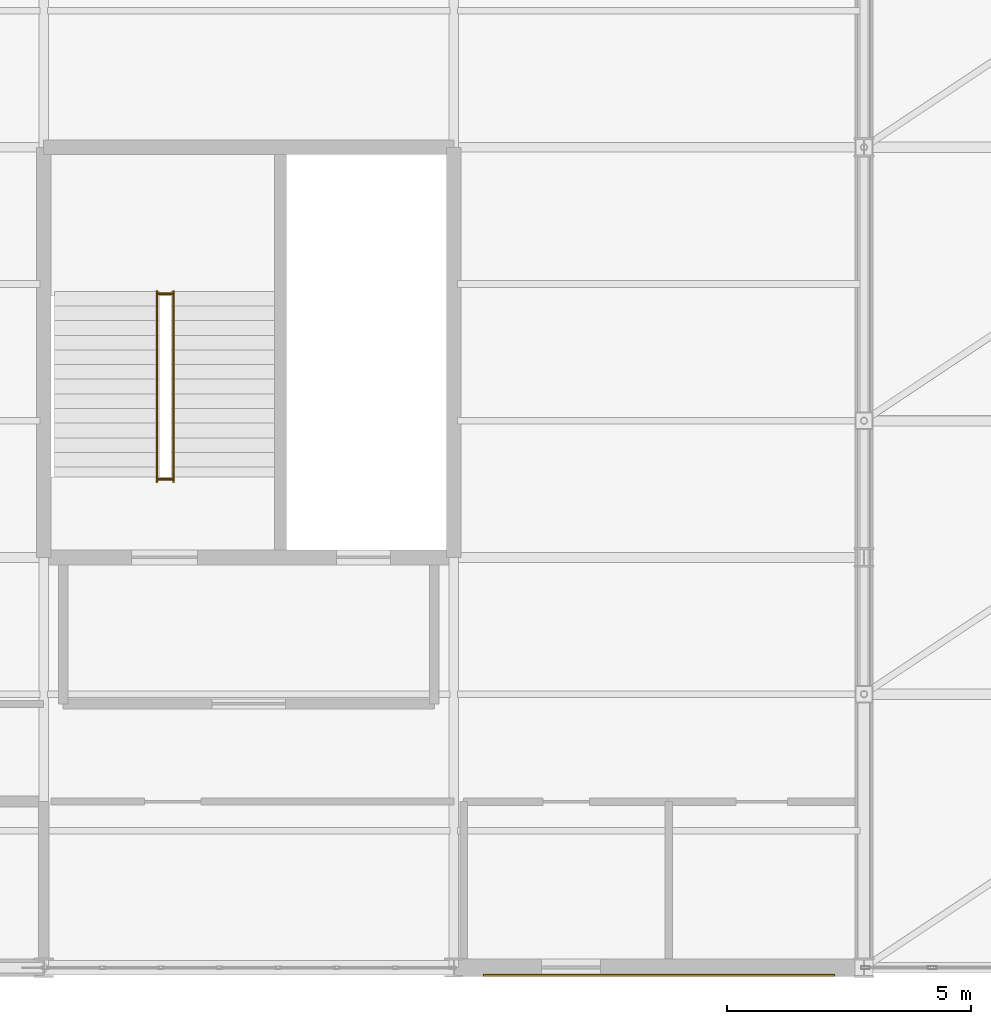
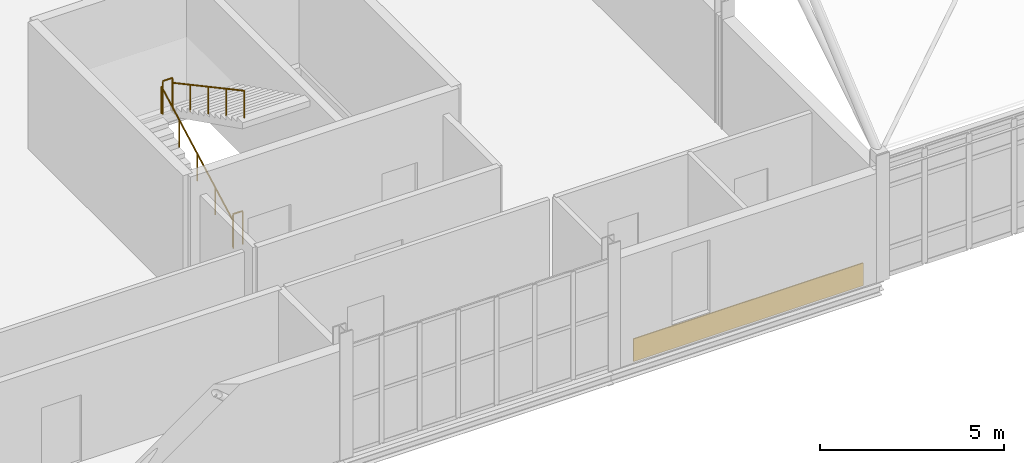
# One storey, part 176 of 184: 4 railings, 1 covering.
"""IFC4 building model written with IfcOpenShell, lengths in metres."""

from ifc_helpers import new_model, si_unit, direction, frame, origin, origin_2d, place, context, subcontext, project, spatial, rectangle, circle, extrude, material, layer, layer_set, type_object, element, save


model = new_model("IFC4")

# Units and contexts
model_context = context("Model", 3, precision=1e-05, world=origin(), true_north=direction((0.0, 1.0)))
body_context = subcontext(model_context, "Body", "Model", "MODEL_VIEW")
ifc_project = project(units=[si_unit("LENGTHUNIT", "METRE"), si_unit("AREAUNIT", "SQUARE_METRE"), si_unit("VOLUMEUNIT", "CUBIC_METRE"), si_unit("PLANEANGLEUNIT", "RADIAN"), si_unit("MASSUNIT", "GRAM", prefix="KILO")], contexts=[model_context])

# Site, building, storey
site_placement = place(None, origin())
site = spatial("IfcSite", under=ifc_project, at=site_placement, CompositionType="ELEMENT")
building_placement = place(site_placement, origin())
building = spatial("IfcBuilding", under=site, at=building_placement, Name="Qalvenar Corner Mobility Hub", CompositionType="ELEMENT")
storey_placement = place(building_placement, frame((0.0, 0.0, 9.0)))
storey = spatial("IfcBuildingStorey", under=building, at=storey_placement, Name="L02", CompositionType="ELEMENT", Elevation=9.0)

# Covering
ifc_material_1 = material(Name="Kashikari Glazed Turquoise Faience Tile Cladding", Category="masonry")
ifc_layer = layer(ifc_material_1, 0.034912109375)
ifc_layer_set = layer_set([ifc_layer], Name="Kashikari Glazed Turquoise Faience Tile Cladding")
covering_type = type_object("IfcCoveringType", Name="COV-CLAD-FAI", PredefinedType="CLADDING", material=ifc_layer_set)
covering_placement = place(storey_placement, frame((46.199951171875, -0.155029296875, 0.044921875), z_axis=(0.0, 0.0, 1.0), x_axis=(1.0, 0.0, 0.0)))
element("IfcCovering", 1, at=covering_placement, inside=storey, type_object=covering_type, Name="Kashikari Faience Spandrel V3-L02-S5", PredefinedType="CLADDING", context=body_context, shape_type="SweptSolid", body=[
    extrude(rectangle(XDim=7.199951171875, YDim=0.034912109375, at=origin_2d()), origin(), (0.0, 0.0, 1.0), 0.75),
])

# Railings
ifc_material_2 = material(Name="Art Nouveau Bronze-Finished Steel Balustrade", Category="steel")
railing_type_1 = type_object("IfcRailingType", Name="RL-GUARD-110", PredefinedType="GUARDRAIL", material=ifc_material_2)
for number, where, name in (
    (2, (35.93994140625, 10.0, 0.0), "Stair Arrival Slot Guard C2-L02"),
    (3, (35.93994140625, 13.800048828125, 2.10009765625), "Stair Half-Landing Well Guard ST2-L02"),
):
    element("IfcRailing", number, at=place(storey_placement, frame(where)), inside=storey, type_object=railing_type_1, Name=name, PredefinedType="GUARDRAIL", context=body_context, shape_type="SweptSolid", body=[
        extrude(circle(Radius=0.02392578125, at=origin_2d()), frame((0.0, 0.0, 1.09619140625), z_axis=(1.0, 0.0, 0.0), x_axis=(0.0, 1.0, 0.0)), (0.0, 0.0, 1.0), 0.300048828125),
        extrude(circle(Radius=0.02099609375, at=origin_2d()), origin(), (0.0, 0.0, 1.0), 1.072021484375),
        extrude(circle(Radius=0.02099609375, at=origin_2d()), frame((0.300048828125, 0.0, 0.0)), (0.0, 0.0, 1.0), 1.072021484375),
    ])
ifc_material_3 = material(Name="Brushed Stainless Steel Handrail", Category="steel")
railing_type_2 = type_object("IfcRailingType", Name="RL-HAND-092", PredefinedType="HANDRAIL", material=ifc_material_3)
railing_1_placement = place(storey_placement, frame((35.919921875, 9.949951171875, 0.0)))
element("IfcRailing", 4, at=railing_1_placement, inside=storey, type_object=railing_type_2, Name="Stair Handrail ST2-L02-1", PredefinedType="HANDRAIL", context=body_context, shape_type="SweptSolid", body=[
    extrude(circle(Radius=0.02392578125, at=origin_2d()), frame((0.0, 0.0, 0.89599609375), z_axis=(0.0, 0.880469330154, 0.474103109733), x_axis=(-1.0, 0.0, 0.0)), (0.0, 0.0, 1.0), 4.4296875),
    extrude(circle(Radius=0.02099609375, at=origin_2d()), origin(), (0.0, 0.0, 1.0), 0.871826171875),
    extrude(circle(Radius=0.02099609375, at=origin_2d()), frame((0.0, 0.97509765625, 0.52490234375)), (0.0, 0.0, 1.0), 0.871826171875),
    extrude(circle(Radius=0.02099609375, at=origin_2d()), frame((0.0, 1.9501953125, 1.050048828125)), (0.0, 0.0, 1.0), 0.871826171875),
    extrude(circle(Radius=0.02099609375, at=origin_2d()), frame((0.0, 2.925048828125, 1.5751953125)), (0.0, 0.0, 1.0), 0.871826171875),
    extrude(circle(Radius=0.02099609375, at=origin_2d()), frame((0.0, 3.900146484375, 2.10009765625)), (0.0, 0.0, 1.0), 0.871826171875),
])
railing_2_placement = place(storey_placement, frame((36.260009765625, 13.85009765625, 2.10009765625)))
element("IfcRailing", 5, at=railing_2_placement, inside=storey, type_object=railing_type_2, Name="Stair Handrail ST2-L02-2", PredefinedType="HANDRAIL", context=body_context, shape_type="SweptSolid", body=[
    extrude(circle(Radius=0.02392578125, at=origin_2d()), frame((0.0, 0.0, 0.89599609375), z_axis=(0.0, -0.88049233674, 0.474060381114), x_axis=(1.0, 0.0, 0.0)), (0.0, 0.0, 1.0), 4.429443359375),
    extrude(circle(Radius=0.02099609375, at=origin_2d()), origin(), (0.0, 0.0, 1.0), 0.871826171875),
    extrude(circle(Radius=0.02099609375, at=origin_2d()), frame((0.0, -0.97509765625, 0.52490234375)), (0.0, 0.0, 1.0), 0.871826171875),
    extrude(circle(Radius=0.02099609375, at=origin_2d()), frame((0.0, -1.9501953125, 1.0498046875)), (0.0, 0.0, 1.0), 0.871826171875),
    extrude(circle(Radius=0.02099609375, at=origin_2d()), frame((0.0, -2.925048828125, 1.574951171875)), (0.0, 0.0, 1.0), 0.871826171875),
    extrude(circle(Radius=0.02099609375, at=origin_2d()), frame((0.0, -3.900146484375, 2.099853515625)), (0.0, 0.0, 1.0), 0.871826171875),
])

save(model, "model.ifc")
